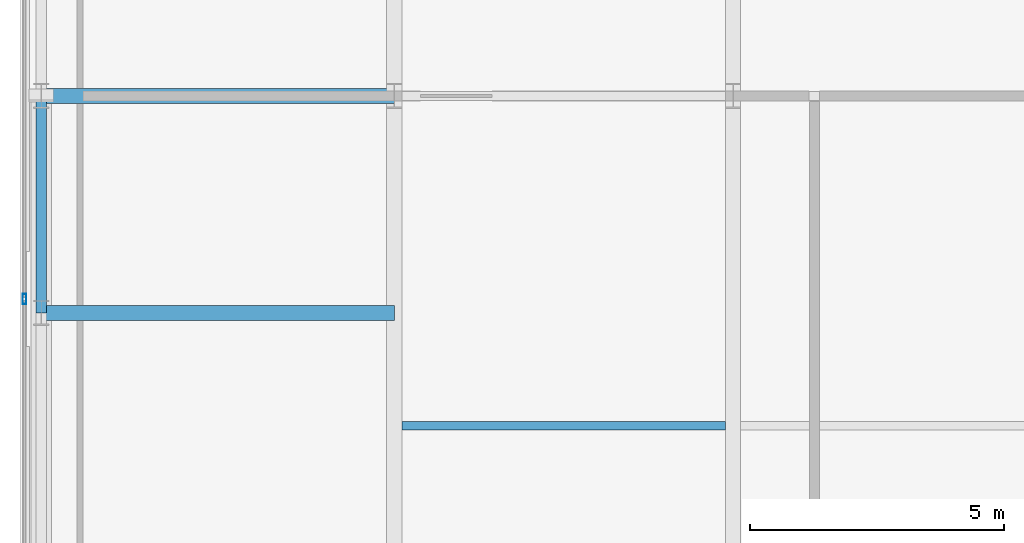
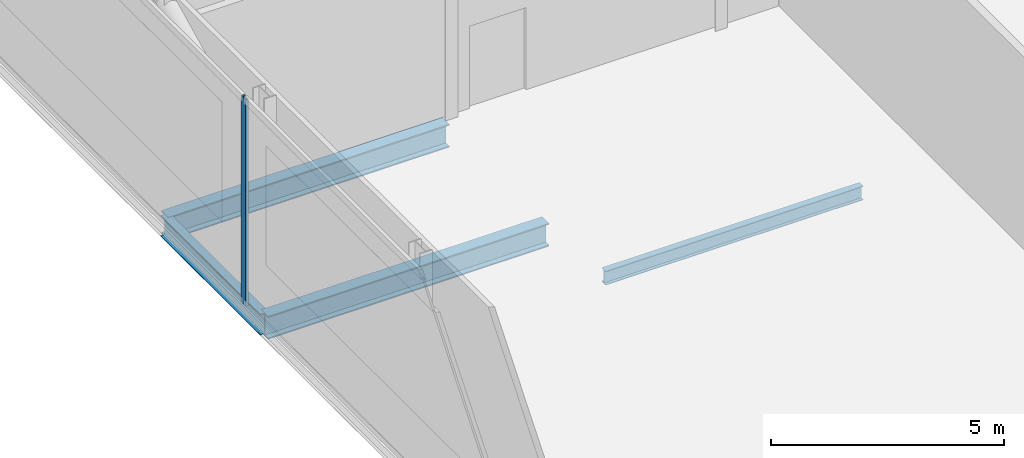
# One storey, part 8 of 22: 4 beams, 1 member, 1 element without a shape of its own.
"""IFC4 building model written with IfcOpenShell, lengths in metres."""

from ifc_helpers import new_model, si_unit, direction, frame, origin, origin_2d, place, context, subcontext, project, spatial, hollow_rectangle, i_section, extrude, material, material_profile, profile_set, type_object, element, aggregate, save


model = new_model("IFC4")

# Units and contexts
model_context = context("Model", 3, precision=1e-05, world=origin(), true_north=direction((0.0, 1.0)))
body_context = subcontext(model_context, "Body", "Model", "MODEL_VIEW")
ifc_project = project(units=[si_unit("LENGTHUNIT", "METRE"), si_unit("AREAUNIT", "SQUARE_METRE"), si_unit("VOLUMEUNIT", "CUBIC_METRE"), si_unit("PLANEANGLEUNIT", "RADIAN"), si_unit("MASSUNIT", "GRAM", prefix="KILO")], contexts=[model_context])

# Site, building, storey
site_placement = place(None, origin())
site = spatial("IfcSite", under=ifc_project, at=site_placement, CompositionType="ELEMENT")
building_placement = place(site_placement, origin())
building = spatial("IfcBuilding", under=site, at=building_placement, Name="Khoronbel Lancet Exchange", CompositionType="ELEMENT")
storey_placement = place(building_placement, frame((0.0, 0.0, 361.800048828125)))
storey = spatial("IfcBuildingStorey", under=building, at=storey_placement, Name="L93", CompositionType="ELEMENT", Elevation=361.800048828125)

# Beams
ifc_material_1 = material(Name="Steel S355", Category="steel")
ifc_material_profile_1 = material_profile(ifc_material_1, i_section(OverallWidth=0.300048828125, OverallDepth=0.60009765625, WebThickness=0.015380859375, FlangeThickness=0.030029296875, at=origin_2d()), Name="HEB 600")
ifc_profile_set_1 = profile_set([ifc_material_profile_1], Name="Steel S355")
beam_type_1 = type_object("IfcBeamType", Name="BM-BG5", PredefinedType="BEAM", material=ifc_profile_set_1)
for number, where, z_axis, x_axis, name in (
    (1, (11.27001953125, 31.425048828125, -0.5), (1.0, 0.0, 0.0), (0.0, 1.0, 0.0), "Level L93 west lens tie girder LG2W"),
    (2, (11.27001953125, 35.699951171875, -0.5), (1.0, 0.0, 0.0), (0.0, 1.0, 0.0), "Level L93 west lens tie girder LG4W"),
):
    element("IfcBeam", number, at=place(storey_placement, frame(where, z_axis=z_axis, x_axis=x_axis)), inside=storey, type_object=beam_type_1, Name=name, PredefinedType="BEAM", context=body_context, shape_type="SweptSolid", body=[
        extrude(i_section(OverallWidth=0.300048828125, OverallDepth=0.60009765625, WebThickness=0.015380859375, FlangeThickness=0.030029296875, at=origin_2d()), origin(), (0.0, 0.0, 1.0), 6.955078125),
    ])
ifc_material_profile_2 = material_profile(ifc_material_1, i_section(OverallWidth=0.169921875, OverallDepth=0.360107421875, WebThickness=0.008056640625, FlangeThickness=0.0126953125, at=origin_2d()), Name="IPE 360")
ifc_profile_set_2 = profile_set([ifc_material_profile_2], Name="Steel S355")
beam_type_2 = type_object("IfcBeamType", Name="BM-BJ6", PredefinedType="JOIST", material=ifc_profile_set_2)
beam_1_placement = place(storey_placement, frame((18.375, 29.199951171875, -0.380126953125), z_axis=(1.0, 0.0, 0.0), x_axis=(0.0, 1.0, 0.0)))
element("IfcBeam", 3, at=beam_1_placement, inside=storey, type_object=beam_type_2, Name="Level L93 secondary composite joist J07", PredefinedType="JOIST", context=body_context, shape_type="SweptSolid", body=[
    extrude(i_section(OverallWidth=0.169921875, OverallDepth=0.360107421875, WebThickness=0.008056640625, FlangeThickness=0.0126953125, at=origin_2d()), origin(), (0.0, 0.0, 1.0), 6.375),
])
ifc_material_profile_3 = material_profile(ifc_material_1, i_section(OverallWidth=0.2099609375, OverallDepth=0.550048828125, WebThickness=0.010986328125, FlangeThickness=0.01708984375, at=origin_2d()), Name="IPE 550")
ifc_profile_set_3 = profile_set([ifc_material_profile_3], Name="Steel S355")
beam_type_3 = type_object("IfcBeamType", Name="BM-BSP3", PredefinedType="SPANDREL", material=ifc_profile_set_3)
beam_2_placement = place(storey_placement, frame((11.27001953125, 35.699951171875, -0.47509765625), z_axis=(0.0, -1.0, 0.0), x_axis=(1.0, 0.0, 0.0)))
element("IfcBeam", 4, at=beam_2_placement, inside=storey, type_object=beam_type_3, Name="Level L93 perimeter spandrel beam SP16", PredefinedType="SPANDREL", context=body_context, shape_type="SweptSolid", body=[
    extrude(i_section(OverallWidth=0.2099609375, OverallDepth=0.550048828125, WebThickness=0.010986328125, FlangeThickness=0.01708984375, at=origin_2d()), origin(), (0.0, 0.0, 1.0), 4.27490234375),
])

# Curtain wall, member
ifc_material_2 = material(Name="Low-E Solar Control Insulating Glass", Category="glass")
curtain_wall_type = type_object("IfcCurtainWallType", Name="CW-6", PredefinedType="NOTDEFINED", material=ifc_material_2)
curtain_wall_placement = place(storey_placement, origin())
curtain_wall = element("IfcCurtainWall", 5, at=curtain_wall_placement, inside=storey, type_object=curtain_wall_type, Name="Unitised curtain wall CW-L93-E03", PredefinedType="NOTDEFINED")
ifc_material_3 = material(Name="Bronze-Anodised Aluminium 6063-T6", Category="aluminium")
ifc_material_profile_4 = material_profile(ifc_material_3, hollow_rectangle(XDim=0.074951171875, YDim=0.199951171875, WallThickness=0.0048828125, at=origin_2d()), Name="ALU MULLION 75x200")
ifc_profile_set_4 = profile_set([ifc_material_profile_4], Name="Bronze-Anodised Aluminium 6063-T6")
member_type = type_object("IfcMemberType", Name="MEM-CWM2", PredefinedType="MULLION", material=ifc_profile_set_4)
member_placement = place(storey_placement, frame((10.93994140625, 31.699951171875, 0.0), z_axis=(0.0, 0.0, 1.0), x_axis=(-1.0, 0.0, 0.0)))
member = element("IfcMember", 6, at=member_placement, type_object=member_type, Name="CW6 mullion 2", PredefinedType="MULLION", context=body_context, shape_type="SweptSolid", body=[
    extrude(hollow_rectangle(XDim=0.074951171875, YDim=0.199951171875, WallThickness=0.0048828125, at=origin_2d()), origin(), (0.0, 0.0, 1.0), 5.39990234375),
])
aggregate(curtain_wall, [member])

save(model, "model.ifc")
